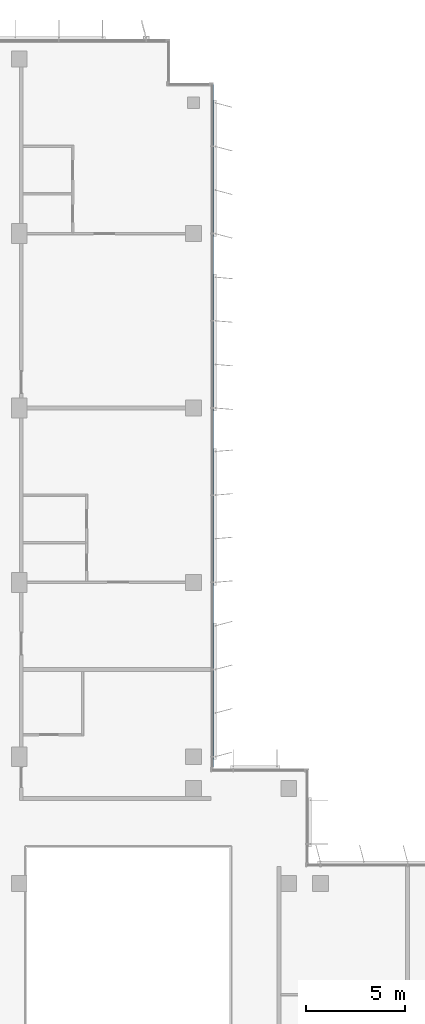
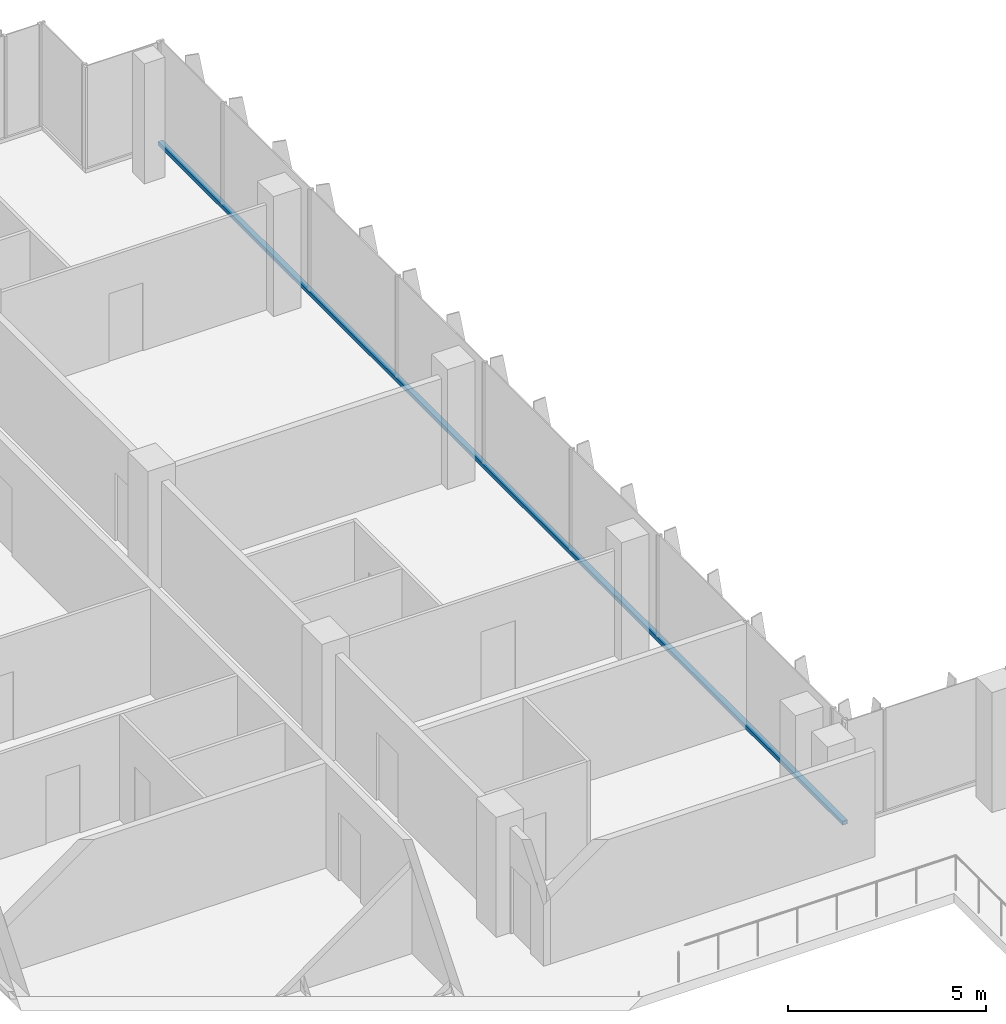
# One storey, part 5 of 15: 1 member, 1 element without a shape of its own.
"""IFC4 building model written with IfcOpenShell, lengths in metres."""

import ifcopenshell
import ifcopenshell.guid

model = None  # the IFC model being written
_history = None  # IfcOwnerHistory: only IFC2X3 demands one
_inside = {}  # id of a spatial element -> (the spatial element, [elements in it])
_under = {}  # id of a project, library or spatial element -> (it, [spatial elements below it])
_declared = {}  # id of a project -> (the project, [libraries it declares])
_typed = {}  # id of a type object -> (the type object, [elements of that type])
_made_of = {}  # id of a material, layer set ... -> (it, [elements and type objects made of it])


def new_model(schema):
    """Start an empty IFC model of exactly this schema.

    Asked for "IFC4X3", IfcOpenShell would pick the latest addendum, in which some entities
    have other attributes; the version numbers below select the first issue.
    IFC2X3 requires an IfcOwnerHistory on every rooted entity: one is made here for all.
    """
    global model, _history
    if schema == "IFC4X3":
        model = ifcopenshell.file(schema_version=(4, 3, 0, 0))
    else:
        model = ifcopenshell.file(schema=schema)
    _inside.clear()
    _under.clear()
    _declared.clear()
    _typed.clear()
    _made_of.clear()
    _history = None
    if model.schema == "IFC2X3":
        org = make("IfcOrganization", Name="unknown")
        user = make(
            "IfcPersonAndOrganization",
            ThePerson=make("IfcPerson", FamilyName="unknown"),
            TheOrganization=org,
        )
        app = make(
            "IfcApplication",
            ApplicationDeveloper=org,
            Version="unknown",
            ApplicationFullName="unknown",
            ApplicationIdentifier="unknown",
        )
        _history = make(
            "IfcOwnerHistory",
            OwningUser=user,
            OwningApplication=app,
            ChangeAction="ADDED",
            CreationDate=0,
        )
    return model


def make(cls, **values):
    """One entity of the class cls with the attributes given. An attribute that is None is left unset."""
    return model.create_entity(
        cls, **{name: value for name, value in values.items() if value is not None}
    )


def rooted(cls, **values):
    """An entity with a GlobalId (a new one), such as an element, a storey or a relation."""
    return make(cls, GlobalId=ifcopenshell.guid.new(), OwnerHistory=_history, **values)


def si_unit(unit_type, name, prefix=None):
    """IfcSIUnit, for example si_unit("LENGTHUNIT", "METRE", prefix="MILLI")."""
    return make("IfcSIUnit", UnitType=unit_type, Prefix=prefix, Name=name)


def assignment(units):
    """IfcUnitAssignment: the units of a project."""
    return None if units is None else make("IfcUnitAssignment", Units=units)


def point(xyz):
    """IfcCartesianPoint."""
    return None if xyz is None else make("IfcCartesianPoint", Coordinates=xyz)


def direction(xyz):
    """IfcDirection."""
    return None if xyz is None else make("IfcDirection", DirectionRatios=xyz)


def frame(location, z_axis=None, x_axis=None):
    """IfcAxis2Placement3D, a coordinate frame: its origin and axes. An axis left out is left unset."""
    return make(
        "IfcAxis2Placement3D",
        Location=point(location),
        Axis=direction(z_axis),
        RefDirection=direction(x_axis),
    )


def frame_2d(location, x_axis=None):
    """IfcAxis2Placement2D, a coordinate frame in the plane: its origin and x axis."""
    return make(
        "IfcAxis2Placement2D", Location=point(location), RefDirection=direction(x_axis)
    )


def origin():
    """The frame at (0, 0, 0) with its axes left unset."""
    return frame((0.0, 0.0, 0.0))


def origin_2d():
    """The frame at (0, 0) in the plane with its x axis left unset."""
    return frame_2d((0.0, 0.0))


def place(relative_to, where):
    """IfcLocalPlacement: puts the frame where relative to a parent placement (None: the world)."""
    return make(
        "IfcLocalPlacement", PlacementRelTo=relative_to, RelativePlacement=where
    )


def context(
    kind, dimensions, precision=None, world=None, true_north=None, identifier=None
):
    """IfcGeometricRepresentationContext, for example the 3D "Model" context."""
    return make(
        "IfcGeometricRepresentationContext",
        ContextIdentifier=identifier,
        ContextType=kind,
        CoordinateSpaceDimension=dimensions,
        Precision=precision,
        WorldCoordinateSystem=world,
        TrueNorth=true_north,
    )


def subcontext(parent, identifier, kind, view, scale=None):
    """IfcGeometricRepresentationSubContext, for example "Body" below "Model"."""
    return make(
        "IfcGeometricRepresentationSubContext",
        ContextIdentifier=identifier,
        ContextType=kind,
        ParentContext=parent,
        TargetScale=scale,
        TargetView=view,
    )


def project(units=None, contexts=None):
    """IfcProject with its units and contexts."""
    return rooted(
        "IfcProject",
        Name="project",
        RepresentationContexts=contexts,
        UnitsInContext=assignment(units),
    )


def spatial(cls, under=None, at=None, **own):
    """A site, building, storey or space (cls), placed at a placement, below another one or the project."""
    s = rooted(cls, ObjectPlacement=at, **own)
    if under is not None:
        _under.setdefault(under.id(), (under, []))[1].append(s)
    return s


def profile(cls, at=None, kind="AREA", **sizes):
    """A parametric profile (cls). Its sizes go by their IFC names, for example OverallWidth=200.0."""
    return make(cls, ProfileType=kind, Position=at, **sizes)


def rectangle(**sizes):
    """IfcRectangleProfileDef."""
    return profile("IfcRectangleProfileDef", **sizes)


def extrude(swept, where, along, depth):
    """IfcExtrudedAreaSolid: the profile swept, set in the frame where, extruded along a direction by depth."""
    return make(
        "IfcExtrudedAreaSolid",
        SweptArea=swept,
        Position=where,
        ExtrudedDirection=direction(along),
        Depth=depth,
    )


def shape(context_of_items, identifier, shape_type, items):
    """IfcShapeRepresentation: the items that make up one representation, for example the "Body"."""
    return make(
        "IfcShapeRepresentation",
        ContextOfItems=context_of_items,
        RepresentationIdentifier=identifier,
        RepresentationType=shape_type,
        Items=items,
    )


def material(Name=None, Category=None):
    """IfcMaterial."""
    return make("IfcMaterial", Name=Name, Category=Category)


def material_profile(
    of_material, cross_section, Name=None, Category=None, Priority=None
):
    """IfcMaterialProfile: a cross section and its material."""
    return make(
        "IfcMaterialProfile",
        Name=Name,
        Material=of_material,
        Profile=cross_section,
        Priority=Priority,
        Category=Category,
    )


def profile_set(profiles, Name=None, composite=None):
    """IfcMaterialProfileSet."""
    return make(
        "IfcMaterialProfileSet",
        Name=Name,
        MaterialProfiles=profiles,
        CompositeProfile=composite,
    )


def made_of(thing, what):
    """Note that an element or type object is made of a material, layer set ...; save() writes the relation."""
    if what is not None:
        _made_of.setdefault(what.id(), (what, []))[1].append(thing)
    return thing


def type_object(cls, material=None, **own):
    """A type object (cls), such as IfcWallType, which elements share."""
    return made_of(rooted(cls, **own), material)


def element(
    cls,
    number,
    at=None,
    inside=None,
    cuts=None,
    type_object=None,
    material=None,
    context=None,
    identifier="Body",
    shape_type=None,
    held_by="IfcProductDefinitionShape",
    body=None,
    shapes=None,
    **own,
):
    """One element of the class cls, such as IfcWall. Its Tag is "e" and its number.

    at: its placement. inside: the storey or other place that contains it. cuts: it is an
    opening in that element (IfcRelVoidsElement). A single representation is given by context,
    identifier, shape_type and body (its items); several are given by shapes. held_by: the class
    of the entity that holds the representations. save() writes the other relations.
    """
    e = rooted(cls, Tag="e%d" % number, ObjectPlacement=at, **own)
    if body is not None:
        shapes = [shape(context, identifier, shape_type, body)]
    if shapes is not None:
        e.Representation = make(held_by, Representations=shapes)
    if inside is not None:
        _inside.setdefault(inside.id(), (inside, []))[1].append(e)
    if cuts is not None:
        rooted(
            "IfcRelVoidsElement", RelatingBuildingElement=cuts, RelatedOpeningElement=e
        )
    if type_object is not None:
        _typed.setdefault(type_object.id(), (type_object, []))[1].append(e)
    return made_of(e, material)


def aggregate(whole, parts):
    """IfcRelAggregates: a whole, such as a stair, and the parts it consists of."""
    return rooted("IfcRelAggregates", RelatingObject=whole, RelatedObjects=parts)


def save(model, path):
    """Write the relations noted so far, then the file.

    IfcRelAggregates (storeys below a building ...), IfcRelContainedInSpatialStructure (elements
    in a storey), IfcRelDefinesByType, IfcRelAssociatesMaterial and IfcRelDeclares: one each for
    every whole, place, type object, material and project.
    """
    for whole, parts in _under.values():
        aggregate(whole, parts)
    for where, things in _inside.values():
        rooted(
            "IfcRelContainedInSpatialStructure",
            RelatedElements=things,
            RelatingStructure=where,
        )
    for kind, things in _typed.values():
        rooted("IfcRelDefinesByType", RelatedObjects=things, RelatingType=kind)
    for what, things in _made_of.values():
        rooted("IfcRelAssociatesMaterial", RelatedObjects=things, RelatingMaterial=what)
    for by, libraries in _declared.values():
        rooted("IfcRelDeclares", RelatingContext=by, RelatedDefinitions=libraries)
    model.write(path)


model = new_model("IFC4")

# Units and contexts
model_context = context("Model", 3, precision=1e-05, world=origin(), true_north=direction((0.0, 1.0)))
body_context = subcontext(model_context, "Body", "Model", "MODEL_VIEW")
ifc_project = project(units=[si_unit("LENGTHUNIT", "METRE"), si_unit("AREAUNIT", "SQUARE_METRE"), si_unit("VOLUMEUNIT", "CUBIC_METRE"), si_unit("PLANEANGLEUNIT", "RADIAN"), si_unit("MASSUNIT", "GRAM", prefix="KILO")], contexts=[model_context])

# Site, building, storey
site_placement = place(None, origin())
site = spatial("IfcSite", under=ifc_project, at=site_placement, CompositionType="ELEMENT")
building_placement = place(site_placement, origin())
building = spatial("IfcBuilding", under=site, at=building_placement, Name="Kemantara Hotel Tower", CompositionType="ELEMENT")
storey_placement = place(building_placement, frame((0.0, 0.0, 305.5)))
storey = spatial("IfcBuildingStorey", under=building, at=storey_placement, Name="L77", CompositionType="ELEMENT", Elevation=305.5)

# Curtain wall, member
ifc_material_1 = material(Name="Low-E tinted double insulated glass 36 mm", Category="glass")
curtain_wall_type = type_object("IfcCurtainWallType", Name="TOWER CURTAIN WALL, FRONT FACES", PredefinedType="USERDEFINED", material=ifc_material_1)
curtain_wall_placement = place(storey_placement, origin())
curtain_wall = element("IfcCurtainWall", 1, at=curtain_wall_placement, inside=storey, type_object=curtain_wall_type, Name="CW4 L77 T4-R15-1", ObjectType="TOWER CURTAIN WALL, FRONT FACES", PredefinedType="USERDEFINED")
ifc_material_2 = material(Name="Aluminium 6063-T6 bronze anodised", Category="aluminium")
ifc_material_profile = material_profile(ifc_material_2, rectangle(XDim=0.14990234375, YDim=0.1201171875, at=origin_2d()), Name="TOWER CURTAIN WALL, FRONT FACES TRANSOM")
ifc_profile_set = profile_set([ifc_material_profile], Name="Aluminium 6063-T6 bronze anodised")
member_type = type_object("IfcMemberType", Name="TOWER CURTAIN WALL, FRONT FACES TRANSOM", PredefinedType="USERDEFINED", material=ifc_profile_set)
member_placement = place(storey_placement, frame((21.925048828125, 26.800048828125, 0.06005859375), z_axis=(0.0, 1.0, 0.0), x_axis=(-1.0, 0.0, 0.0)))
member = element("IfcMember", 2, at=member_placement, type_object=member_type, Name="CW4 sill transom T4-R15-1", ObjectType="TRANSOM", PredefinedType="USERDEFINED", context=body_context, shape_type="SweptSolid", body=[
    extrude(rectangle(XDim=0.14990234375, YDim=0.1201171875, at=origin_2d()), origin(), (0.0, 0.0, 1.0), 34.599853515625),
])
aggregate(curtain_wall, [member])

save(model, "model.ifc")
